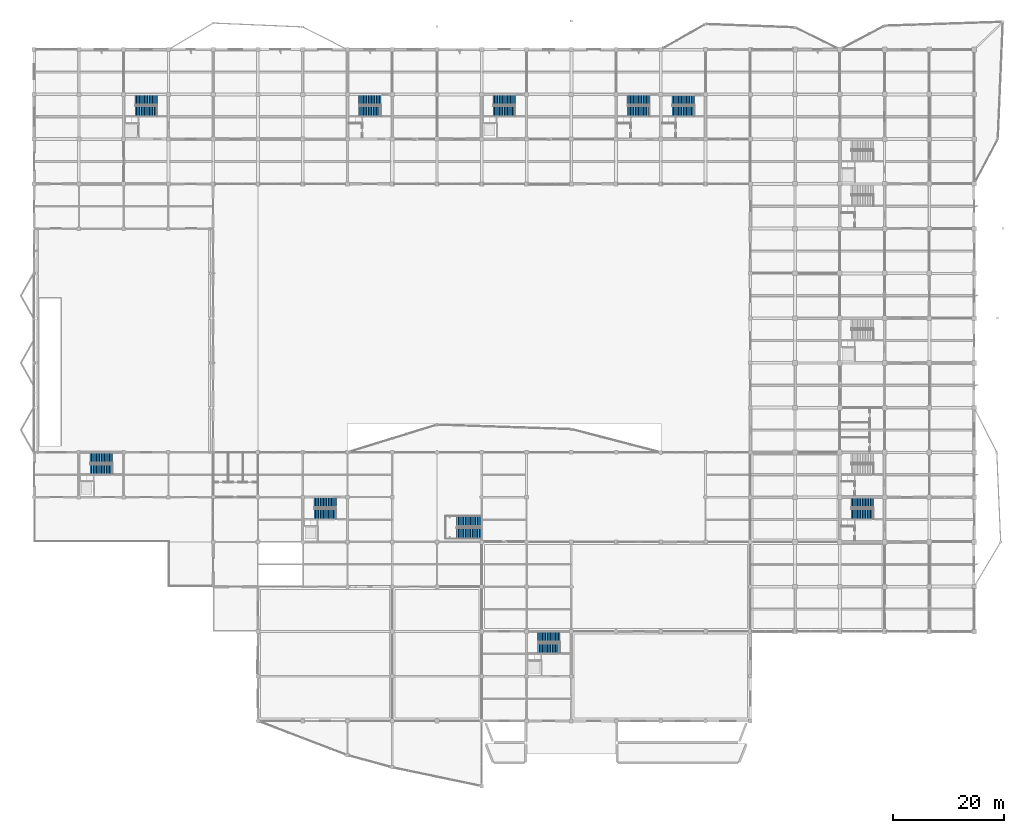
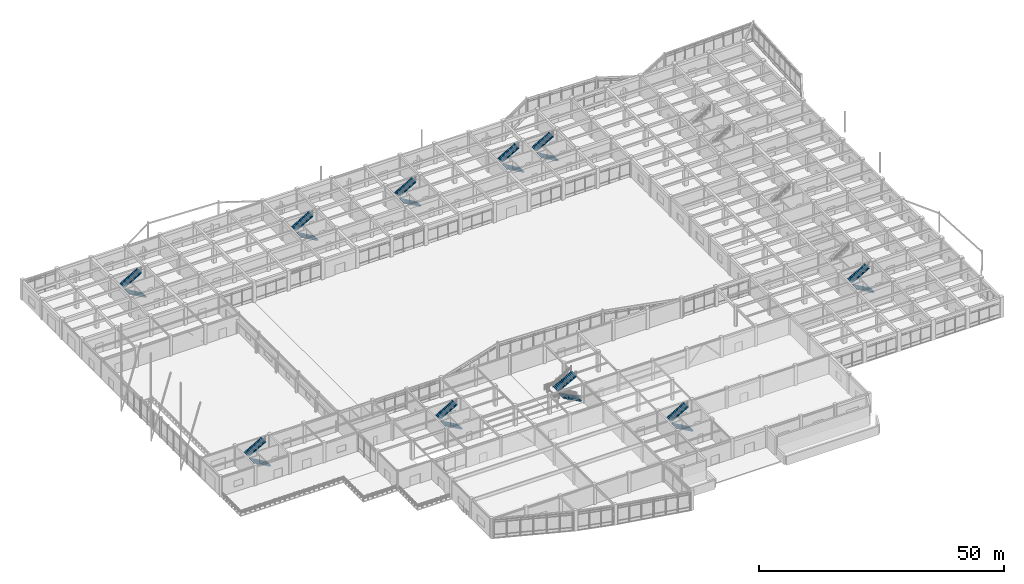
# One storey, part 74 of 99: 20 stair flights, 10 elements without a shape of their own.
"""IFC4 building model written with IfcOpenShell, lengths in metres."""

from ifc_helpers import new_model, si_unit, direction, frame, origin, place, context, subcontext, project, spatial, polyline, outline, extrude, material, type_object, element, aggregate, save


model = new_model("IFC4")

# Units and contexts
model_context = context("Model", 3, precision=1e-05, world=origin(), true_north=direction((0.0, 1.0)))
body_context = subcontext(model_context, "Body", "Model", "MODEL_VIEW")
ifc_project = project(units=[si_unit("LENGTHUNIT", "METRE"), si_unit("AREAUNIT", "SQUARE_METRE"), si_unit("VOLUMEUNIT", "CUBIC_METRE"), si_unit("PLANEANGLEUNIT", "RADIAN"), si_unit("MASSUNIT", "GRAM", prefix="KILO")], contexts=[model_context])

# Site, building, storey
site_placement = place(None, origin())
site = spatial("IfcSite", under=ifc_project, at=site_placement, CompositionType="ELEMENT")
building_placement = place(site_placement, origin())
building = spatial("IfcBuilding", under=site, at=building_placement, Name="Vaudrelin Polytechnic", CompositionType="ELEMENT")
storey_placement = place(building_placement, origin())
storey = spatial("IfcBuildingStorey", under=building, at=storey_placement, Name="L00", CompositionType="ELEMENT", Elevation=0.0)

# Stair, stair flights
ifc_material_1 = material(Name="Concrete 35 MPa", Category="concrete")
stair_type_1 = type_object("IfcStairType", Name="STR-ST-CORE", PredefinedType="TWO_STRAIGHT_RUN_STAIR", material=ifc_material_1)
stair_1_placement = place(storey_placement, origin())
stair_1 = element("IfcStair", 1, at=stair_1_placement, inside=storey, type_object=stair_type_1, Name="Exit stair ST-01-L00", PredefinedType="TWO_STRAIGHT_RUN_STAIR")
stair_flight_type_1 = type_object("IfcStairFlightType", Name="STF-STF-CORE", PredefinedType="STRAIGHT", material=ifc_material_1)
stair_flight_1_placement = place(storey_placement, frame((22.340087890625, 110.3701171875, 0.0), z_axis=(0.0, 0.0, 1.0), x_axis=(-1.0, 0.0, 0.0)))
stair_flight_1 = element("IfcStairFlight", 2, at=stair_flight_1_placement, type_object=stair_flight_type_1, Name="ST-01-L00 flight 1", NumberOfRisers=15, NumberOfTreads=14, PredefinedType="STRAIGHT", RiserHeight=0.17, TreadLength=0.295, context=body_context, shape_type="SweptSolid", body=[
    extrude(outline(polyline([(0.0, 0.0), (0.0, 0.169921875), (0.294921875, 0.169921875), (0.294921875, 0.340087890625), (0.590087890625, 0.340087890625), (0.590087890625, 0.510009765625), (0.885009765625, 0.510009765625), (0.885009765625, 0.679931640625), (1.179931640625, 0.679931640625), (1.179931640625, 0.85009765625), (1.47509765625, 0.85009765625), (1.47509765625, 1.02001953125), (1.77001953125, 1.02001953125), (1.77001953125, 1.18994140625), (2.06494140625, 1.18994140625), (2.06494140625, 1.360107421875), (2.360107421875, 1.360107421875), (2.360107421875, 1.530029296875), (2.655029296875, 1.530029296875), (2.655029296875, 1.699951171875), (2.949951171875, 1.699951171875), (2.949951171875, 1.8701171875), (3.2451171875, 1.8701171875), (3.2451171875, 2.0400390625), (3.5400390625, 2.0400390625), (3.5400390625, 2.2099609375), (3.8349609375, 2.2099609375), (3.8349609375, 2.3798828125), (4.1298828125, 2.3798828125), (4.1298828125, 2.550048828125), (4.1298828125, 2.149169921875), (0.400390625, 0.0), (0.0, 0.0)])), frame((0.0, 0.91015625, 0.0), z_axis=(0.0, -1.0, 0.0), x_axis=(1.0, 0.0, 0.0)), (0.0, 0.0, 1.0), 1.820068359375),
])
stair_flight_2_placement = place(storey_placement, frame((18.2099609375, 112.389892578125, 2.550048828125), z_axis=(0.0, 0.0, 1.0), x_axis=(1.0, 0.0, 0.0)))
stair_flight_2 = element("IfcStairFlight", 3, at=stair_flight_2_placement, type_object=stair_flight_type_1, Name="ST-01-L00 flight 2", NumberOfRisers=15, NumberOfTreads=14, PredefinedType="STRAIGHT", RiserHeight=0.17, TreadLength=0.29214, context=body_context, shape_type="SweptSolid", body=[
    extrude(outline(polyline([(0.0, 0.0), (0.0, 0.169921875), (0.292236328125, 0.169921875), (0.292236328125, 0.340087890625), (0.584228515625, 0.340087890625), (0.584228515625, 0.510009765625), (0.87646484375, 0.510009765625), (0.87646484375, 0.679931640625), (1.16845703125, 0.679931640625), (1.16845703125, 0.85009765625), (1.460693359375, 0.85009765625), (1.460693359375, 1.02001953125), (1.7529296875, 1.02001953125), (1.7529296875, 1.18994140625), (2.044921875, 1.18994140625), (2.044921875, 1.360107421875), (2.337158203125, 1.360107421875), (2.337158203125, 1.530029296875), (2.629150390625, 1.530029296875), (2.629150390625, 1.699951171875), (2.92138671875, 1.699951171875), (2.92138671875, 1.8701171875), (3.213623046875, 1.8701171875), (3.213623046875, 2.0400390625), (3.505615234375, 2.0400390625), (3.505615234375, 2.2099609375), (3.7978515625, 2.2099609375), (3.7978515625, 2.3798828125), (4.08984375, 2.3798828125), (4.08984375, 2.550048828125), (4.08984375, 2.148681640625), (0.3974609375, 0.0), (0.0, 0.0)])), frame((0.0, 0.91015625, 0.0), z_axis=(0.0, -1.0, 0.0), x_axis=(1.0, 0.0, 0.0)), (0.0, 0.0, 1.0), 1.820068359375),
])
aggregate(stair_1, [stair_flight_1, stair_flight_2])

stair_2_placement = place(storey_placement, origin())
stair_2 = element("IfcStair", 4, at=stair_2_placement, inside=storey, type_object=stair_type_1, Name="Exit stair ST-02-L00", PredefinedType="TWO_STRAIGHT_RUN_STAIR")
stair_flight_3_placement = place(storey_placement, frame((87.139892578125, 110.3701171875, 0.0), z_axis=(0.0, 0.0, 1.0), x_axis=(-1.0, 0.0, 0.0)))
stair_flight_3 = element("IfcStairFlight", 5, at=stair_flight_3_placement, type_object=stair_flight_type_1, Name="ST-02-L00 flight 1", NumberOfRisers=15, NumberOfTreads=14, PredefinedType="STRAIGHT", RiserHeight=0.17, TreadLength=0.295, context=body_context, shape_type="SweptSolid", body=[
    extrude(outline(polyline([(0.0, 0.0), (0.0, 0.169921875), (0.294921875, 0.169921875), (0.294921875, 0.340087890625), (0.590087890625, 0.340087890625), (0.590087890625, 0.510009765625), (0.885009765625, 0.510009765625), (0.885009765625, 0.679931640625), (1.179931640625, 0.679931640625), (1.179931640625, 0.85009765625), (1.47509765625, 0.85009765625), (1.47509765625, 1.02001953125), (1.77001953125, 1.02001953125), (1.77001953125, 1.18994140625), (2.06494140625, 1.18994140625), (2.06494140625, 1.360107421875), (2.360107421875, 1.360107421875), (2.360107421875, 1.530029296875), (2.655029296875, 1.530029296875), (2.655029296875, 1.699951171875), (2.949951171875, 1.699951171875), (2.949951171875, 1.8701171875), (3.2451171875, 1.8701171875), (3.2451171875, 2.0400390625), (3.5400390625, 2.0400390625), (3.5400390625, 2.2099609375), (3.8349609375, 2.2099609375), (3.8349609375, 2.3798828125), (4.1298828125, 2.3798828125), (4.1298828125, 2.550048828125), (4.1298828125, 2.149169921875), (0.400390625, 0.0), (0.0, 0.0)])), frame((0.0, 0.91015625, 0.0), z_axis=(0.0, -1.0, 0.0), x_axis=(1.0, 0.0, 0.0)), (0.0, 0.0, 1.0), 1.820068359375),
])
stair_flight_4_placement = place(storey_placement, frame((83.010009765625, 112.389892578125, 2.550048828125), z_axis=(0.0, 0.0, 1.0), x_axis=(1.0, 0.0, 0.0)))
stair_flight_4 = element("IfcStairFlight", 6, at=stair_flight_4_placement, type_object=stair_flight_type_1, Name="ST-02-L00 flight 2", NumberOfRisers=15, NumberOfTreads=14, PredefinedType="STRAIGHT", RiserHeight=0.17, TreadLength=0.29214, context=body_context, shape_type="SweptSolid", body=[
    extrude(outline(polyline([(0.0, 0.0), (0.0, 0.169921875), (0.292236328125, 0.169921875), (0.292236328125, 0.340087890625), (0.584228515625, 0.340087890625), (0.584228515625, 0.510009765625), (0.87646484375, 0.510009765625), (0.87646484375, 0.679931640625), (1.16845703125, 0.679931640625), (1.16845703125, 0.85009765625), (1.460693359375, 0.85009765625), (1.460693359375, 1.02001953125), (1.7529296875, 1.02001953125), (1.7529296875, 1.18994140625), (2.044921875, 1.18994140625), (2.044921875, 1.360107421875), (2.337158203125, 1.360107421875), (2.337158203125, 1.530029296875), (2.629150390625, 1.530029296875), (2.629150390625, 1.699951171875), (2.92138671875, 1.699951171875), (2.92138671875, 1.8701171875), (3.213623046875, 1.8701171875), (3.213623046875, 2.0400390625), (3.505615234375, 2.0400390625), (3.505615234375, 2.2099609375), (3.7978515625, 2.2099609375), (3.7978515625, 2.3798828125), (4.08984375, 2.3798828125), (4.08984375, 2.550048828125), (4.08984375, 2.148681640625), (0.3974609375, 0.0), (0.0, 0.0)])), frame((0.0, 0.91015625, 0.0), z_axis=(0.0, -1.0, 0.0), x_axis=(1.0, 0.0, 0.0)), (0.0, 0.0, 1.0), 1.820068359375),
])
aggregate(stair_2, [stair_flight_3, stair_flight_4])

stair_3_placement = place(storey_placement, origin())
stair_3 = element("IfcStair", 7, at=stair_3_placement, inside=storey, type_object=stair_type_1, Name="Exit stair ST-03-L00", PredefinedType="TWO_STRAIGHT_RUN_STAIR")
stair_flight_5_placement = place(storey_placement, frame((14.239990234375, 45.570068359375, 0.0), z_axis=(0.0, 0.0, 1.0), x_axis=(-1.0, 0.0, 0.0)))
stair_flight_5 = element("IfcStairFlight", 8, at=stair_flight_5_placement, type_object=stair_flight_type_1, Name="ST-03-L00 flight 1", NumberOfRisers=15, NumberOfTreads=14, PredefinedType="STRAIGHT", RiserHeight=0.17, TreadLength=0.295, context=body_context, shape_type="SweptSolid", body=[
    extrude(outline(polyline([(0.0, 0.0), (0.0, 0.169921875), (0.294921875, 0.169921875), (0.294921875, 0.340087890625), (0.590087890625, 0.340087890625), (0.590087890625, 0.510009765625), (0.885009765625, 0.510009765625), (0.885009765625, 0.679931640625), (1.179931640625, 0.679931640625), (1.179931640625, 0.85009765625), (1.47509765625, 0.85009765625), (1.47509765625, 1.02001953125), (1.77001953125, 1.02001953125), (1.77001953125, 1.18994140625), (2.06494140625, 1.18994140625), (2.06494140625, 1.360107421875), (2.360107421875, 1.360107421875), (2.360107421875, 1.530029296875), (2.655029296875, 1.530029296875), (2.655029296875, 1.699951171875), (2.949951171875, 1.699951171875), (2.949951171875, 1.8701171875), (3.2451171875, 1.8701171875), (3.2451171875, 2.0400390625), (3.5400390625, 2.0400390625), (3.5400390625, 2.2099609375), (3.8349609375, 2.2099609375), (3.8349609375, 2.3798828125), (4.1298828125, 2.3798828125), (4.1298828125, 2.550048828125), (4.1298828125, 2.149169921875), (0.400390625, 0.0), (0.0, 0.0)])), frame((0.0, 0.91015625, 0.0), z_axis=(0.0, -1.0, 0.0), x_axis=(1.0, 0.0, 0.0)), (0.0, 0.0, 1.0), 1.820068359375),
])
stair_flight_6_placement = place(storey_placement, frame((10.110107421875, 47.590087890625, 2.550048828125), z_axis=(0.0, 0.0, 1.0), x_axis=(1.0, 0.0, 0.0)))
stair_flight_6 = element("IfcStairFlight", 9, at=stair_flight_6_placement, type_object=stair_flight_type_1, Name="ST-03-L00 flight 2", NumberOfRisers=15, NumberOfTreads=14, PredefinedType="STRAIGHT", RiserHeight=0.17, TreadLength=0.29214, context=body_context, shape_type="SweptSolid", body=[
    extrude(outline(polyline([(0.0, 0.0), (0.0, 0.169921875), (0.292236328125, 0.169921875), (0.292236328125, 0.340087890625), (0.584228515625, 0.340087890625), (0.584228515625, 0.510009765625), (0.87646484375, 0.510009765625), (0.87646484375, 0.679931640625), (1.16845703125, 0.679931640625), (1.16845703125, 0.85009765625), (1.460693359375, 0.85009765625), (1.460693359375, 1.02001953125), (1.7529296875, 1.02001953125), (1.7529296875, 1.18994140625), (2.044921875, 1.18994140625), (2.044921875, 1.360107421875), (2.337158203125, 1.360107421875), (2.337158203125, 1.530029296875), (2.629150390625, 1.530029296875), (2.629150390625, 1.699951171875), (2.92138671875, 1.699951171875), (2.92138671875, 1.8701171875), (3.213623046875, 1.8701171875), (3.213623046875, 2.0400390625), (3.505615234375, 2.0400390625), (3.505615234375, 2.2099609375), (3.7978515625, 2.2099609375), (3.7978515625, 2.3798828125), (4.08984375, 2.3798828125), (4.08984375, 2.550048828125), (4.08984375, 2.148681640625), (0.3974609375, 0.0), (0.0, 0.0)])), frame((0.0, 0.91015625, 0.0), z_axis=(0.0, -1.0, 0.0), x_axis=(1.0, 0.0, 0.0)), (0.0, 0.0, 1.0), 1.820068359375),
])
aggregate(stair_3, [stair_flight_5, stair_flight_6])

stair_4_placement = place(storey_placement, origin())
stair_4 = element("IfcStair", 10, at=stair_4_placement, inside=storey, type_object=stair_type_1, Name="Exit stair ST-04-L00", PredefinedType="TWO_STRAIGHT_RUN_STAIR")
stair_flight_7_placement = place(storey_placement, frame((54.739990234375, 37.469970703125, 0.0), z_axis=(0.0, 0.0, 1.0), x_axis=(-1.0, 0.0, 0.0)))
stair_flight_7 = element("IfcStairFlight", 11, at=stair_flight_7_placement, type_object=stair_flight_type_1, Name="ST-04-L00 flight 1", NumberOfRisers=15, NumberOfTreads=14, PredefinedType="STRAIGHT", RiserHeight=0.17, TreadLength=0.295, context=body_context, shape_type="SweptSolid", body=[
    extrude(outline(polyline([(0.0, 0.0), (0.0, 0.169921875), (0.294921875, 0.169921875), (0.294921875, 0.340087890625), (0.590087890625, 0.340087890625), (0.590087890625, 0.510009765625), (0.885009765625, 0.510009765625), (0.885009765625, 0.679931640625), (1.179931640625, 0.679931640625), (1.179931640625, 0.85009765625), (1.47509765625, 0.85009765625), (1.47509765625, 1.02001953125), (1.77001953125, 1.02001953125), (1.77001953125, 1.18994140625), (2.06494140625, 1.18994140625), (2.06494140625, 1.360107421875), (2.360107421875, 1.360107421875), (2.360107421875, 1.530029296875), (2.655029296875, 1.530029296875), (2.655029296875, 1.699951171875), (2.949951171875, 1.699951171875), (2.949951171875, 1.8701171875), (3.2451171875, 1.8701171875), (3.2451171875, 2.0400390625), (3.5400390625, 2.0400390625), (3.5400390625, 2.2099609375), (3.8349609375, 2.2099609375), (3.8349609375, 2.3798828125), (4.1298828125, 2.3798828125), (4.1298828125, 2.550048828125), (4.1298828125, 2.149169921875), (0.400390625, 0.0), (0.0, 0.0)])), frame((0.0, 0.91015625, 0.0), z_axis=(0.0, -1.0, 0.0), x_axis=(1.0, 0.0, 0.0)), (0.0, 0.0, 1.0), 1.820068359375),
])
stair_flight_8_placement = place(storey_placement, frame((50.610107421875, 39.489990234375, 2.550048828125), z_axis=(0.0, 0.0, 1.0), x_axis=(1.0, 0.0, 0.0)))
stair_flight_8 = element("IfcStairFlight", 12, at=stair_flight_8_placement, type_object=stair_flight_type_1, Name="ST-04-L00 flight 2", NumberOfRisers=15, NumberOfTreads=14, PredefinedType="STRAIGHT", RiserHeight=0.17, TreadLength=0.29214, context=body_context, shape_type="SweptSolid", body=[
    extrude(outline(polyline([(0.0, 0.0), (0.0, 0.169921875), (0.292236328125, 0.169921875), (0.292236328125, 0.340087890625), (0.584228515625, 0.340087890625), (0.584228515625, 0.510009765625), (0.87646484375, 0.510009765625), (0.87646484375, 0.679931640625), (1.16845703125, 0.679931640625), (1.16845703125, 0.85009765625), (1.460693359375, 0.85009765625), (1.460693359375, 1.02001953125), (1.7529296875, 1.02001953125), (1.7529296875, 1.18994140625), (2.044921875, 1.18994140625), (2.044921875, 1.360107421875), (2.337158203125, 1.360107421875), (2.337158203125, 1.530029296875), (2.629150390625, 1.530029296875), (2.629150390625, 1.699951171875), (2.92138671875, 1.699951171875), (2.92138671875, 1.8701171875), (3.213623046875, 1.8701171875), (3.213623046875, 2.0400390625), (3.505615234375, 2.0400390625), (3.505615234375, 2.2099609375), (3.7978515625, 2.2099609375), (3.7978515625, 2.3798828125), (4.08984375, 2.3798828125), (4.08984375, 2.550048828125), (4.08984375, 2.148681640625), (0.3974609375, 0.0), (0.0, 0.0)])), frame((0.0, 0.91015625, 0.0), z_axis=(0.0, -1.0, 0.0), x_axis=(1.0, 0.0, 0.0)), (0.0, 0.0, 1.0), 1.820068359375),
])
aggregate(stair_4, [stair_flight_7, stair_flight_8])

stair_5_placement = place(storey_placement, origin())
stair_5 = element("IfcStair", 13, at=stair_5_placement, inside=storey, type_object=stair_type_1, Name="Exit stair ST-05-L00", PredefinedType="TWO_STRAIGHT_RUN_STAIR")
stair_flight_9_placement = place(storey_placement, frame((95.239990234375, 13.169921875, 0.0), z_axis=(0.0, 0.0, 1.0), x_axis=(-1.0, 0.0, 0.0)))
stair_flight_9 = element("IfcStairFlight", 14, at=stair_flight_9_placement, type_object=stair_flight_type_1, Name="ST-05-L00 flight 1", NumberOfRisers=15, NumberOfTreads=14, PredefinedType="STRAIGHT", RiserHeight=0.17, TreadLength=0.295, context=body_context, shape_type="SweptSolid", body=[
    extrude(outline(polyline([(0.0, 0.0), (0.0, 0.169921875), (0.294921875, 0.169921875), (0.294921875, 0.340087890625), (0.590087890625, 0.340087890625), (0.590087890625, 0.510009765625), (0.885009765625, 0.510009765625), (0.885009765625, 0.679931640625), (1.179931640625, 0.679931640625), (1.179931640625, 0.85009765625), (1.47509765625, 0.85009765625), (1.47509765625, 1.02001953125), (1.77001953125, 1.02001953125), (1.77001953125, 1.18994140625), (2.06494140625, 1.18994140625), (2.06494140625, 1.360107421875), (2.360107421875, 1.360107421875), (2.360107421875, 1.530029296875), (2.655029296875, 1.530029296875), (2.655029296875, 1.699951171875), (2.949951171875, 1.699951171875), (2.949951171875, 1.8701171875), (3.2451171875, 1.8701171875), (3.2451171875, 2.0400390625), (3.5400390625, 2.0400390625), (3.5400390625, 2.2099609375), (3.8349609375, 2.2099609375), (3.8349609375, 2.3798828125), (4.1298828125, 2.3798828125), (4.1298828125, 2.550048828125), (4.1298828125, 2.149169921875), (0.400390625, 0.0), (0.0, 0.0)])), frame((0.0, 0.91015625, 0.0), z_axis=(0.0, -1.0, 0.0), x_axis=(1.0, 0.0, 0.0)), (0.0, 0.0, 1.0), 1.820068359375),
])
stair_flight_10_placement = place(storey_placement, frame((91.110107421875, 15.18994140625, 2.550048828125), z_axis=(0.0, 0.0, 1.0), x_axis=(1.0, 0.0, 0.0)))
stair_flight_10 = element("IfcStairFlight", 15, at=stair_flight_10_placement, type_object=stair_flight_type_1, Name="ST-05-L00 flight 2", NumberOfRisers=15, NumberOfTreads=14, PredefinedType="STRAIGHT", RiserHeight=0.17, TreadLength=0.29214, context=body_context, shape_type="SweptSolid", body=[
    extrude(outline(polyline([(0.0, 0.0), (0.0, 0.169921875), (0.292236328125, 0.169921875), (0.292236328125, 0.340087890625), (0.584228515625, 0.340087890625), (0.584228515625, 0.510009765625), (0.87646484375, 0.510009765625), (0.87646484375, 0.679931640625), (1.16845703125, 0.679931640625), (1.16845703125, 0.85009765625), (1.460693359375, 0.85009765625), (1.460693359375, 1.02001953125), (1.7529296875, 1.02001953125), (1.7529296875, 1.18994140625), (2.044921875, 1.18994140625), (2.044921875, 1.360107421875), (2.337158203125, 1.360107421875), (2.337158203125, 1.530029296875), (2.629150390625, 1.530029296875), (2.629150390625, 1.699951171875), (2.92138671875, 1.699951171875), (2.92138671875, 1.8701171875), (3.213623046875, 1.8701171875), (3.213623046875, 2.0400390625), (3.505615234375, 2.0400390625), (3.505615234375, 2.2099609375), (3.7978515625, 2.2099609375), (3.7978515625, 2.3798828125), (4.08984375, 2.3798828125), (4.08984375, 2.550048828125), (4.08984375, 2.148681640625), (0.3974609375, 0.0), (0.0, 0.0)])), frame((0.0, 0.91015625, 0.0), z_axis=(0.0, -1.0, 0.0), x_axis=(1.0, 0.0, 0.0)), (0.0, 0.0, 1.0), 1.820068359375),
])
aggregate(stair_5, [stair_flight_9, stair_flight_10])

stair_6_placement = place(storey_placement, origin())
stair_6 = element("IfcStair", 16, at=stair_6_placement, inside=storey, type_object=stair_type_1, Name="Exit stair ST-08-L00", PredefinedType="TWO_STRAIGHT_RUN_STAIR")
stair_flight_11_placement = place(storey_placement, frame((151.93994140625, 37.469970703125, 0.0), z_axis=(0.0, 0.0, 1.0), x_axis=(-1.0, 0.0, 0.0)))
stair_flight_11 = element("IfcStairFlight", 17, at=stair_flight_11_placement, type_object=stair_flight_type_1, Name="ST-08-L00 flight 1", NumberOfRisers=15, NumberOfTreads=14, PredefinedType="STRAIGHT", RiserHeight=0.17, TreadLength=0.295, context=body_context, shape_type="SweptSolid", body=[
    extrude(outline(polyline([(0.0, 0.0), (0.0, 0.169921875), (0.294921875, 0.169921875), (0.294921875, 0.340087890625), (0.590087890625, 0.340087890625), (0.590087890625, 0.510009765625), (0.885009765625, 0.510009765625), (0.885009765625, 0.679931640625), (1.179931640625, 0.679931640625), (1.179931640625, 0.85009765625), (1.47509765625, 0.85009765625), (1.47509765625, 1.02001953125), (1.77001953125, 1.02001953125), (1.77001953125, 1.18994140625), (2.06494140625, 1.18994140625), (2.06494140625, 1.360107421875), (2.360107421875, 1.360107421875), (2.360107421875, 1.530029296875), (2.655029296875, 1.530029296875), (2.655029296875, 1.699951171875), (2.949951171875, 1.699951171875), (2.949951171875, 1.8701171875), (3.2451171875, 1.8701171875), (3.2451171875, 2.0400390625), (3.5400390625, 2.0400390625), (3.5400390625, 2.2099609375), (3.8349609375, 2.2099609375), (3.8349609375, 2.3798828125), (4.1298828125, 2.3798828125), (4.1298828125, 2.550048828125), (4.1298828125, 2.149169921875), (0.400390625, 0.0), (0.0, 0.0)])), frame((0.0, 0.91015625, 0.0), z_axis=(0.0, -1.0, 0.0), x_axis=(1.0, 0.0, 0.0)), (0.0, 0.0, 1.0), 1.820068359375),
])
stair_flight_12_placement = place(storey_placement, frame((147.81005859375, 39.489990234375, 2.550048828125), z_axis=(0.0, 0.0, 1.0), x_axis=(1.0, 0.0, 0.0)))
stair_flight_12 = element("IfcStairFlight", 18, at=stair_flight_12_placement, type_object=stair_flight_type_1, Name="ST-08-L00 flight 2", NumberOfRisers=15, NumberOfTreads=14, PredefinedType="STRAIGHT", RiserHeight=0.17, TreadLength=0.29214, context=body_context, shape_type="SweptSolid", body=[
    extrude(outline(polyline([(0.0, 0.0), (0.0, 0.169921875), (0.292236328125, 0.169921875), (0.292236328125, 0.340087890625), (0.584228515625, 0.340087890625), (0.584228515625, 0.510009765625), (0.87646484375, 0.510009765625), (0.87646484375, 0.679931640625), (1.16845703125, 0.679931640625), (1.16845703125, 0.85009765625), (1.460693359375, 0.85009765625), (1.460693359375, 1.02001953125), (1.7529296875, 1.02001953125), (1.7529296875, 1.18994140625), (2.044921875, 1.18994140625), (2.044921875, 1.360107421875), (2.337158203125, 1.360107421875), (2.337158203125, 1.530029296875), (2.629150390625, 1.530029296875), (2.629150390625, 1.699951171875), (2.92138671875, 1.699951171875), (2.92138671875, 1.8701171875), (3.213623046875, 1.8701171875), (3.213623046875, 2.0400390625), (3.505615234375, 2.0400390625), (3.505615234375, 2.2099609375), (3.7978515625, 2.2099609375), (3.7978515625, 2.3798828125), (4.08984375, 2.3798828125), (4.08984375, 2.550048828125), (4.08984375, 2.148681640625), (0.3974609375, 0.0), (0.0, 0.0)])), frame((0.0, 0.91015625, 0.0), z_axis=(0.0, -1.0, 0.0), x_axis=(1.0, 0.0, 0.0)), (0.0, 0.0, 1.0), 1.820068359375),
])
aggregate(stair_6, [stair_flight_11, stair_flight_12])

stair_7_placement = place(storey_placement, origin())
stair_7 = element("IfcStair", 19, at=stair_7_placement, inside=storey, type_object=stair_type_1, Name="Exit stair ST-09-L00", PredefinedType="TWO_STRAIGHT_RUN_STAIR")
stair_flight_13_placement = place(storey_placement, frame((62.840087890625, 110.3701171875, 0.0), z_axis=(0.0, 0.0, 1.0), x_axis=(-1.0, 0.0, 0.0)))
stair_flight_13 = element("IfcStairFlight", 20, at=stair_flight_13_placement, type_object=stair_flight_type_1, Name="ST-09-L00 flight 1", NumberOfRisers=15, NumberOfTreads=14, PredefinedType="STRAIGHT", RiserHeight=0.17, TreadLength=0.295, context=body_context, shape_type="SweptSolid", body=[
    extrude(outline(polyline([(0.0, 0.0), (0.0, 0.169921875), (0.294921875, 0.169921875), (0.294921875, 0.340087890625), (0.590087890625, 0.340087890625), (0.590087890625, 0.510009765625), (0.885009765625, 0.510009765625), (0.885009765625, 0.679931640625), (1.179931640625, 0.679931640625), (1.179931640625, 0.85009765625), (1.47509765625, 0.85009765625), (1.47509765625, 1.02001953125), (1.77001953125, 1.02001953125), (1.77001953125, 1.18994140625), (2.06494140625, 1.18994140625), (2.06494140625, 1.360107421875), (2.360107421875, 1.360107421875), (2.360107421875, 1.530029296875), (2.655029296875, 1.530029296875), (2.655029296875, 1.699951171875), (2.949951171875, 1.699951171875), (2.949951171875, 1.8701171875), (3.2451171875, 1.8701171875), (3.2451171875, 2.0400390625), (3.5400390625, 2.0400390625), (3.5400390625, 2.2099609375), (3.8349609375, 2.2099609375), (3.8349609375, 2.3798828125), (4.1298828125, 2.3798828125), (4.1298828125, 2.550048828125), (4.1298828125, 2.149169921875), (0.400390625, 0.0), (0.0, 0.0)])), frame((0.0, 0.91015625, 0.0), z_axis=(0.0, -1.0, 0.0), x_axis=(1.0, 0.0, 0.0)), (0.0, 0.0, 1.0), 1.820068359375),
])
stair_flight_14_placement = place(storey_placement, frame((58.7099609375, 112.389892578125, 2.550048828125), z_axis=(0.0, 0.0, 1.0), x_axis=(1.0, 0.0, 0.0)))
stair_flight_14 = element("IfcStairFlight", 21, at=stair_flight_14_placement, type_object=stair_flight_type_1, Name="ST-09-L00 flight 2", NumberOfRisers=15, NumberOfTreads=14, PredefinedType="STRAIGHT", RiserHeight=0.17, TreadLength=0.29214, context=body_context, shape_type="SweptSolid", body=[
    extrude(outline(polyline([(0.0, 0.0), (0.0, 0.169921875), (0.292236328125, 0.169921875), (0.292236328125, 0.340087890625), (0.584228515625, 0.340087890625), (0.584228515625, 0.510009765625), (0.87646484375, 0.510009765625), (0.87646484375, 0.679931640625), (1.16845703125, 0.679931640625), (1.16845703125, 0.85009765625), (1.460693359375, 0.85009765625), (1.460693359375, 1.02001953125), (1.7529296875, 1.02001953125), (1.7529296875, 1.18994140625), (2.044921875, 1.18994140625), (2.044921875, 1.360107421875), (2.337158203125, 1.360107421875), (2.337158203125, 1.530029296875), (2.629150390625, 1.530029296875), (2.629150390625, 1.699951171875), (2.92138671875, 1.699951171875), (2.92138671875, 1.8701171875), (3.213623046875, 1.8701171875), (3.213623046875, 2.0400390625), (3.505615234375, 2.0400390625), (3.505615234375, 2.2099609375), (3.7978515625, 2.2099609375), (3.7978515625, 2.3798828125), (4.08984375, 2.3798828125), (4.08984375, 2.550048828125), (4.08984375, 2.148681640625), (0.3974609375, 0.0), (0.0, 0.0)])), frame((0.0, 0.91015625, 0.0), z_axis=(0.0, -1.0, 0.0), x_axis=(1.0, 0.0, 0.0)), (0.0, 0.0, 1.0), 1.820068359375),
])
aggregate(stair_7, [stair_flight_13, stair_flight_14])

stair_8_placement = place(storey_placement, origin())
stair_8 = element("IfcStair", 22, at=stair_8_placement, inside=storey, type_object=stair_type_1, Name="Exit stair ST-10-L00", PredefinedType="TWO_STRAIGHT_RUN_STAIR")
stair_flight_15_placement = place(storey_placement, frame((119.5400390625, 110.3701171875, 0.0), z_axis=(0.0, 0.0, 1.0), x_axis=(-1.0, 0.0, 0.0)))
stair_flight_15 = element("IfcStairFlight", 23, at=stair_flight_15_placement, type_object=stair_flight_type_1, Name="ST-10-L00 flight 1", NumberOfRisers=15, NumberOfTreads=14, PredefinedType="STRAIGHT", RiserHeight=0.17, TreadLength=0.295, context=body_context, shape_type="SweptSolid", body=[
    extrude(outline(polyline([(0.0, 0.0), (0.0, 0.169921875), (0.294921875, 0.169921875), (0.294921875, 0.340087890625), (0.590087890625, 0.340087890625), (0.590087890625, 0.510009765625), (0.885009765625, 0.510009765625), (0.885009765625, 0.679931640625), (1.179931640625, 0.679931640625), (1.179931640625, 0.85009765625), (1.47509765625, 0.85009765625), (1.47509765625, 1.02001953125), (1.77001953125, 1.02001953125), (1.77001953125, 1.18994140625), (2.06494140625, 1.18994140625), (2.06494140625, 1.360107421875), (2.360107421875, 1.360107421875), (2.360107421875, 1.530029296875), (2.655029296875, 1.530029296875), (2.655029296875, 1.699951171875), (2.949951171875, 1.699951171875), (2.949951171875, 1.8701171875), (3.2451171875, 1.8701171875), (3.2451171875, 2.0400390625), (3.5400390625, 2.0400390625), (3.5400390625, 2.2099609375), (3.8349609375, 2.2099609375), (3.8349609375, 2.3798828125), (4.1298828125, 2.3798828125), (4.1298828125, 2.550048828125), (4.1298828125, 2.149169921875), (0.400390625, 0.0), (0.0, 0.0)])), frame((0.0, 0.91015625, 0.0), z_axis=(0.0, -1.0, 0.0), x_axis=(1.0, 0.0, 0.0)), (0.0, 0.0, 1.0), 1.820068359375),
])
stair_flight_16_placement = place(storey_placement, frame((115.409912109375, 112.389892578125, 2.550048828125), z_axis=(0.0, 0.0, 1.0), x_axis=(1.0, 0.0, 0.0)))
stair_flight_16 = element("IfcStairFlight", 24, at=stair_flight_16_placement, type_object=stair_flight_type_1, Name="ST-10-L00 flight 2", NumberOfRisers=15, NumberOfTreads=14, PredefinedType="STRAIGHT", RiserHeight=0.17, TreadLength=0.29214, context=body_context, shape_type="SweptSolid", body=[
    extrude(outline(polyline([(0.0, 0.0), (0.0, 0.169921875), (0.292236328125, 0.169921875), (0.292236328125, 0.340087890625), (0.584228515625, 0.340087890625), (0.584228515625, 0.510009765625), (0.87646484375, 0.510009765625), (0.87646484375, 0.679931640625), (1.16845703125, 0.679931640625), (1.16845703125, 0.85009765625), (1.460693359375, 0.85009765625), (1.460693359375, 1.02001953125), (1.7529296875, 1.02001953125), (1.7529296875, 1.18994140625), (2.044921875, 1.18994140625), (2.044921875, 1.360107421875), (2.337158203125, 1.360107421875), (2.337158203125, 1.530029296875), (2.629150390625, 1.530029296875), (2.629150390625, 1.699951171875), (2.92138671875, 1.699951171875), (2.92138671875, 1.8701171875), (3.213623046875, 1.8701171875), (3.213623046875, 2.0400390625), (3.505615234375, 2.0400390625), (3.505615234375, 2.2099609375), (3.7978515625, 2.2099609375), (3.7978515625, 2.3798828125), (4.08984375, 2.3798828125), (4.08984375, 2.550048828125), (4.08984375, 2.148681640625), (0.3974609375, 0.0), (0.0, 0.0)])), frame((0.0, 0.91015625, 0.0), z_axis=(0.0, -1.0, 0.0), x_axis=(1.0, 0.0, 0.0)), (0.0, 0.0, 1.0), 1.820068359375),
])
aggregate(stair_8, [stair_flight_15, stair_flight_16])

stair_9_placement = place(storey_placement, origin())
stair_9 = element("IfcStair", 25, at=stair_9_placement, inside=storey, type_object=stair_type_1, Name="Exit stair ST-11-L00", PredefinedType="TWO_STRAIGHT_RUN_STAIR")
stair_flight_17_placement = place(storey_placement, frame((111.43994140625, 110.3701171875, 0.0), z_axis=(0.0, 0.0, 1.0), x_axis=(-1.0, 0.0, 0.0)))
stair_flight_17 = element("IfcStairFlight", 26, at=stair_flight_17_placement, type_object=stair_flight_type_1, Name="ST-11-L00 flight 1", NumberOfRisers=15, NumberOfTreads=14, PredefinedType="STRAIGHT", RiserHeight=0.17, TreadLength=0.295, context=body_context, shape_type="SweptSolid", body=[
    extrude(outline(polyline([(0.0, 0.0), (0.0, 0.169921875), (0.294921875, 0.169921875), (0.294921875, 0.340087890625), (0.590087890625, 0.340087890625), (0.590087890625, 0.510009765625), (0.885009765625, 0.510009765625), (0.885009765625, 0.679931640625), (1.179931640625, 0.679931640625), (1.179931640625, 0.85009765625), (1.47509765625, 0.85009765625), (1.47509765625, 1.02001953125), (1.77001953125, 1.02001953125), (1.77001953125, 1.18994140625), (2.06494140625, 1.18994140625), (2.06494140625, 1.360107421875), (2.360107421875, 1.360107421875), (2.360107421875, 1.530029296875), (2.655029296875, 1.530029296875), (2.655029296875, 1.699951171875), (2.949951171875, 1.699951171875), (2.949951171875, 1.8701171875), (3.2451171875, 1.8701171875), (3.2451171875, 2.0400390625), (3.5400390625, 2.0400390625), (3.5400390625, 2.2099609375), (3.8349609375, 2.2099609375), (3.8349609375, 2.3798828125), (4.1298828125, 2.3798828125), (4.1298828125, 2.550048828125), (4.1298828125, 2.149169921875), (0.400390625, 0.0), (0.0, 0.0)])), frame((0.0, 0.91015625, 0.0), z_axis=(0.0, -1.0, 0.0), x_axis=(1.0, 0.0, 0.0)), (0.0, 0.0, 1.0), 1.820068359375),
])
stair_flight_18_placement = place(storey_placement, frame((107.31005859375, 112.389892578125, 2.550048828125), z_axis=(0.0, 0.0, 1.0), x_axis=(1.0, 0.0, 0.0)))
stair_flight_18 = element("IfcStairFlight", 27, at=stair_flight_18_placement, type_object=stair_flight_type_1, Name="ST-11-L00 flight 2", NumberOfRisers=15, NumberOfTreads=14, PredefinedType="STRAIGHT", RiserHeight=0.17, TreadLength=0.29214, context=body_context, shape_type="SweptSolid", body=[
    extrude(outline(polyline([(0.0, 0.0), (0.0, 0.169921875), (0.292236328125, 0.169921875), (0.292236328125, 0.340087890625), (0.584228515625, 0.340087890625), (0.584228515625, 0.510009765625), (0.87646484375, 0.510009765625), (0.87646484375, 0.679931640625), (1.16845703125, 0.679931640625), (1.16845703125, 0.85009765625), (1.460693359375, 0.85009765625), (1.460693359375, 1.02001953125), (1.7529296875, 1.02001953125), (1.7529296875, 1.18994140625), (2.044921875, 1.18994140625), (2.044921875, 1.360107421875), (2.337158203125, 1.360107421875), (2.337158203125, 1.530029296875), (2.629150390625, 1.530029296875), (2.629150390625, 1.699951171875), (2.92138671875, 1.699951171875), (2.92138671875, 1.8701171875), (3.213623046875, 1.8701171875), (3.213623046875, 2.0400390625), (3.505615234375, 2.0400390625), (3.505615234375, 2.2099609375), (3.7978515625, 2.2099609375), (3.7978515625, 2.3798828125), (4.08984375, 2.3798828125), (4.08984375, 2.550048828125), (4.08984375, 2.148681640625), (0.3974609375, 0.0), (0.0, 0.0)])), frame((0.0, 0.91015625, 0.0), z_axis=(0.0, -1.0, 0.0), x_axis=(1.0, 0.0, 0.0)), (0.0, 0.0, 1.0), 1.820068359375),
])
aggregate(stair_9, [stair_flight_17, stair_flight_18])

ifc_material_2 = material(Name="Steel Grade 350 (CSA G40.21 350W)", Category="steel")
stair_type_2 = type_object("IfcStairType", Name="STR-ST-FEAT", PredefinedType="TWO_STRAIGHT_RUN_STAIR", material=ifc_material_2)
stair_10_placement = place(storey_placement, origin())
stair_10 = element("IfcStair", 28, at=stair_10_placement, inside=storey, type_object=stair_type_2, Name="Feature stair ST-WG1", PredefinedType="TWO_STRAIGHT_RUN_STAIR")
stair_flight_type_2 = type_object("IfcStairFlightType", Name="STF-STF-FEAT", PredefinedType="STRAIGHT", material=ifc_material_2)
stair_flight_19_placement = place(storey_placement, frame((80.8798828125, 33.949951171875, 0.0), z_axis=(0.0, 0.0, 1.0), x_axis=(-1.0, 0.0, 0.0)))
stair_flight_19 = element("IfcStairFlight", 29, at=stair_flight_19_placement, type_object=stair_flight_type_2, Name="ST-WG1 flight 1", NumberOfRisers=15, NumberOfTreads=14, PredefinedType="STRAIGHT", RiserHeight=0.17, TreadLength=0.31643, context=body_context, shape_type="SweptSolid", body=[
    extrude(outline(polyline([(0.0, 0.0), (0.0, 0.169921875), (0.31640625, 0.169921875), (0.31640625, 0.340087890625), (0.6328125, 0.340087890625), (0.6328125, 0.510009765625), (0.94921875, 0.510009765625), (0.94921875, 0.679931640625), (1.265625, 0.679931640625), (1.265625, 0.85009765625), (1.58203125, 0.85009765625), (1.58203125, 1.02001953125), (1.898681640625, 1.02001953125), (1.898681640625, 1.18994140625), (2.215087890625, 1.18994140625), (2.215087890625, 1.360107421875), (2.531494140625, 1.360107421875), (2.531494140625, 1.530029296875), (2.847900390625, 1.530029296875), (2.847900390625, 1.699951171875), (3.164306640625, 1.699951171875), (3.164306640625, 1.8701171875), (3.480712890625, 1.8701171875), (3.480712890625, 2.0400390625), (3.797119140625, 2.0400390625), (3.797119140625, 2.2099609375), (4.113525390625, 2.2099609375), (4.113525390625, 2.3798828125), (4.429931640625, 2.3798828125), (4.429931640625, 2.550048828125), (4.429931640625, 2.153076171875), (0.422607421875, 0.0), (0.0, 0.0)])), frame((0.0, 1.0, 0.0), z_axis=(0.0, -1.0, 0.0), x_axis=(1.0, 0.0, 0.0)), (0.0, 0.0, 1.0), 2.0),
])
stair_flight_20_placement = place(storey_placement, frame((76.449951171875, 36.14990234375, 2.550048828125), z_axis=(0.0, 0.0, 1.0), x_axis=(1.0, 0.0, 0.0)))
stair_flight_20 = element("IfcStairFlight", 30, at=stair_flight_20_placement, type_object=stair_flight_type_2, Name="ST-WG1 flight 2", NumberOfRisers=15, NumberOfTreads=14, PredefinedType="STRAIGHT", RiserHeight=0.17, TreadLength=0.31357, context=body_context, shape_type="SweptSolid", body=[
    extrude(outline(polyline([(0.0, 0.0), (0.0, 0.169921875), (0.3134765625, 0.169921875), (0.3134765625, 0.340087890625), (0.627197265625, 0.340087890625), (0.627197265625, 0.510009765625), (0.940673828125, 0.510009765625), (0.940673828125, 0.679931640625), (1.25439453125, 0.679931640625), (1.25439453125, 0.85009765625), (1.56787109375, 0.85009765625), (1.56787109375, 1.02001953125), (1.88134765625, 1.02001953125), (1.88134765625, 1.18994140625), (2.195068359375, 1.18994140625), (2.195068359375, 1.360107421875), (2.508544921875, 1.360107421875), (2.508544921875, 1.530029296875), (2.822021484375, 1.530029296875), (2.822021484375, 1.699951171875), (3.1357421875, 1.699951171875), (3.1357421875, 1.8701171875), (3.44921875, 1.8701171875), (3.44921875, 2.0400390625), (3.762939453125, 2.0400390625), (3.762939453125, 2.2099609375), (4.076416015625, 2.2099609375), (4.076416015625, 2.3798828125), (4.389892578125, 2.3798828125), (4.389892578125, 2.550048828125), (4.389892578125, 2.152587890625), (0.41943359375, 0.0), (0.0, 0.0)])), frame((0.0, 1.0, 0.0), z_axis=(0.0, -1.0, 0.0), x_axis=(1.0, 0.0, 0.0)), (0.0, 0.0, 1.0), 2.0),
])
aggregate(stair_10, [stair_flight_19, stair_flight_20])

save(model, "model.ifc")
